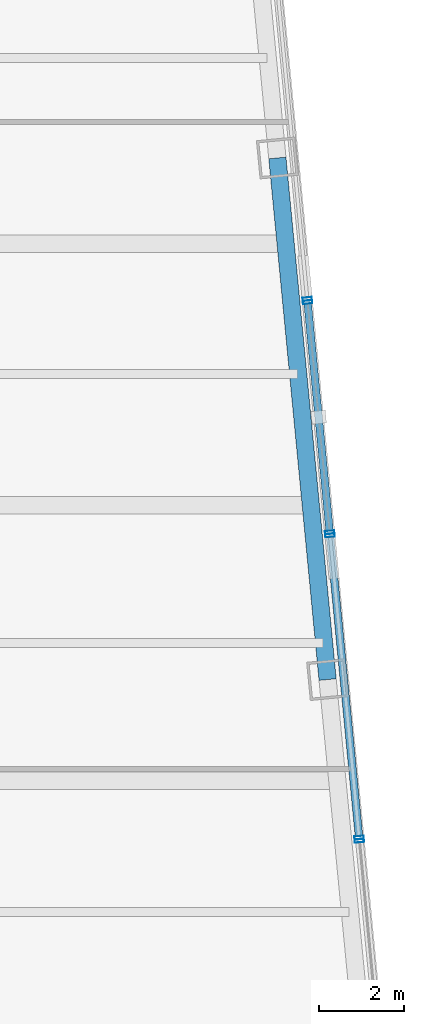
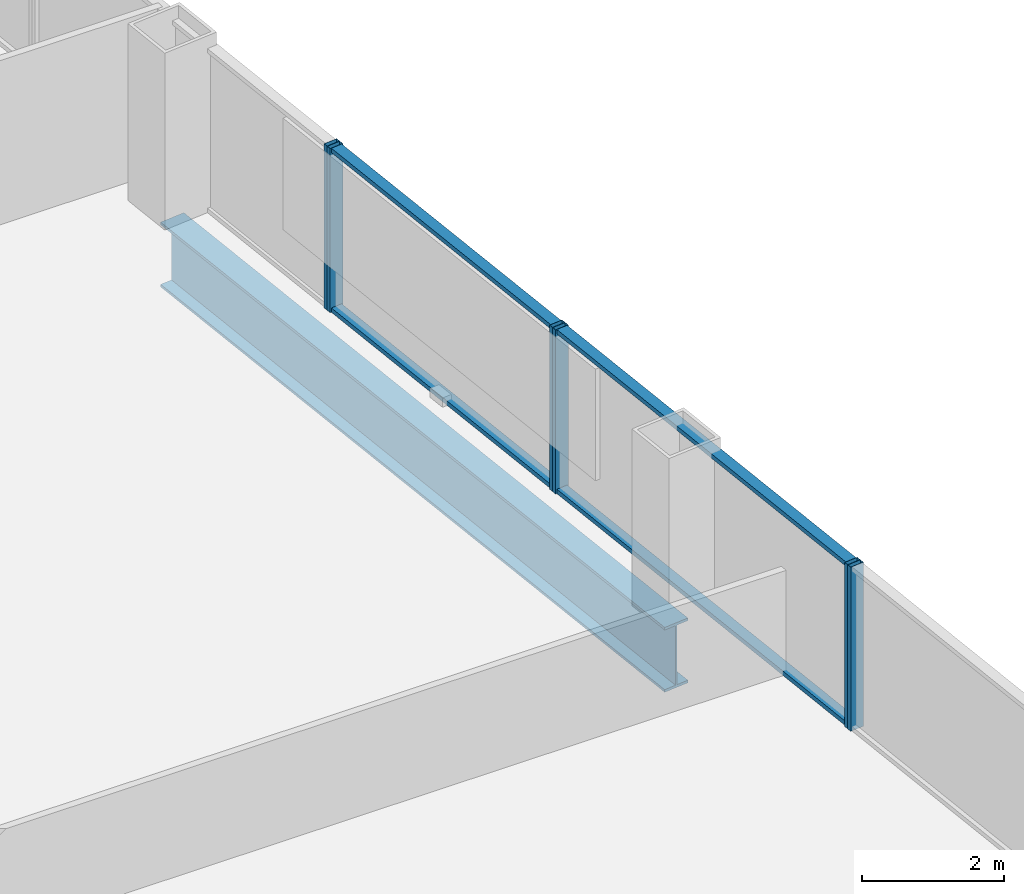
# One storey, part 13 of 26: 10 members, 1 beam, 4 elements without a shape of their own.
"""IFC4 building model written with IfcOpenShell, lengths in metres."""

from ifc_helpers import new_model, si_unit, direction, frame, origin, origin_2d, place, context, subcontext, project, spatial, hollow_rectangle, i_section, extrude, material, layer, layer_set, material_profile, profile_set, type_object, element, aggregate, save


model = new_model("IFC4")

# Units and contexts
model_context = context("Model", 3, precision=1e-05, world=origin(), true_north=direction((0.0, 1.0)))
body_context = subcontext(model_context, "Body", "Model", "MODEL_VIEW")
ifc_project = project(units=[si_unit("LENGTHUNIT", "METRE"), si_unit("AREAUNIT", "SQUARE_METRE"), si_unit("VOLUMEUNIT", "CUBIC_METRE"), si_unit("PLANEANGLEUNIT", "RADIAN"), si_unit("MASSUNIT", "GRAM", prefix="KILO")], contexts=[model_context])

# Site, building, storey
site_placement = place(None, origin())
site = spatial("IfcSite", under=ifc_project, at=site_placement, CompositionType="ELEMENT")
building_placement = place(site_placement, origin())
building = spatial("IfcBuilding", under=site, at=building_placement, Name="Qhalaya Broadcast Tower", CompositionType="ELEMENT")
storey_placement = place(building_placement, frame((0.0, 0.0, 72.5)))
storey = spatial("IfcBuildingStorey", under=building, at=storey_placement, Name="L20", CompositionType="ELEMENT", Elevation=72.5)

# Beam
ifc_material_1 = material(Name="Structural Steel ASTM A992 Grade 50", Category="steel")
ifc_material_profile_1 = material_profile(ifc_material_1, i_section(OverallWidth=0.404052734375, OverallDepth=1.117919921875, WebThickness=0.026123046875, FlangeThickness=0.044921875, at=origin_2d()), Name="W44X335")
ifc_profile_set_1 = profile_set([ifc_material_profile_1], Name="Structural Steel ASTM A992 Grade 50")
beam_type = type_object("IfcBeamType", Name="Podium Long-Span Primary Girder PG1", PredefinedType="USERDEFINED", material=ifc_profile_set_1)
beam_placement = place(storey_placement, frame((28.116943359375, -0.255126953125, -0.779052734375), z_axis=(-0.095851586307, 0.99539563662, 0.0), x_axis=(-0.99539563662, -0.095851586307, 0.0)))
element("IfcBeam", 1, at=beam_placement, inside=storey, type_object=beam_type, Name="L20 PG1 L20-SPR-06", ObjectType="GIRDER", PredefinedType="USERDEFINED", context=body_context, shape_type="SweptSolid", body=[
    extrude(i_section(OverallWidth=0.404052734375, OverallDepth=1.117919921875, WebThickness=0.026123046875, FlangeThickness=0.044921875, at=origin_2d()), origin(), (0.0, 0.0, 1.0), 12.2666015625),
])

# Curtain wall, member
ifc_material_2 = material(Name="Solar-Control Low-E Triple Glazing", Category="glass")
ifc_layer_1 = layer(ifc_material_2, 0.219970703125, Name="Solar-Control Low-E Triple Glazing")
ifc_layer_set_1 = layer_set([ifc_layer_1], Name="Solar-Control Low-E Triple Glazing")
curtain_wall_type_1 = type_object("IfcCurtainWallType", Name="Even-Block 4-Storey Double-Module Curtain Wall CW-03", PredefinedType="NOTDEFINED", material=ifc_layer_set_1)
curtain_wall_1_placement = place(storey_placement, origin())
curtain_wall_1 = element("IfcCurtainWall", 2, at=curtain_wall_1_placement, inside=storey, type_object=curtain_wall_type_1, Name="L20 Unitised Curtain Wall L20-CW-E2", PredefinedType="NOTDEFINED")
ifc_material_3 = material(Name="Anodised Aluminium 6063-T6", Category="aluminium")
ifc_material_profile_2 = material_profile(ifc_material_3, hollow_rectangle(XDim=0.074951171875, YDim=0.219970703125, WallThickness=0.00390625, at=origin_2d()), Name="ALU-MUL 75x220x4")
ifc_profile_set_2 = profile_set([ifc_material_profile_2], Name="Anodised Aluminium 6063-T6")
member_type_1 = type_object("IfcMemberType", Name="Unitised Curtain-Wall Mullion M01", PredefinedType="MULLION", material=ifc_profile_set_2)
member_1_placement = place(storey_placement, frame((28.862060546875, -4.029296875, 0.0), z_axis=(0.0, 0.0, 1.0), x_axis=(-0.095843001098, 0.995396463295, 0.0)))
member_1 = element("IfcMember", 3, at=member_1_placement, type_object=member_type_1, Name="CW-03 mullion 2", PredefinedType="MULLION", context=body_context, shape_type="SweptSolid", body=[
    extrude(hollow_rectangle(XDim=0.074951171875, YDim=0.219970703125, WallThickness=0.00390625, at=origin_2d()), origin(), (0.0, 0.0, 1.0), 2.830078125),
])
aggregate(curtain_wall_1, [member_1])

# Curtain wall, members
ifc_material_4 = material(Name="Fired Architectural Terracotta", Category="masonry")
ifc_layer_2 = layer(ifc_material_4, 0.219970703125, Name="Fired Architectural Terracotta")
ifc_layer_set_2 = layer_set([ifc_layer_2], Name="Fired Architectural Terracotta")
curtain_wall_type_2 = type_object("IfcCurtainWallType", Name="Block-Cap Unitised Terracotta Spandrel Wall CW-07", PredefinedType="NOTDEFINED", material=ifc_layer_set_2)
curtain_wall_2_placement = place(storey_placement, origin())
curtain_wall_2 = element("IfcCurtainWall", 4, at=curtain_wall_2_placement, inside=storey, type_object=curtain_wall_type_2, Name="L20 Unitised Curtain Wall L20-CW-E3", PredefinedType="NOTDEFINED")
member_2_placement = place(storey_placement, frame((28.85498046875, -3.95458984375, 0.0), z_axis=(0.0, 0.0, 1.0), x_axis=(-0.095850652435, 0.995395726547, 0.0)))
member_2 = element("IfcMember", 5, at=member_2_placement, type_object=member_type_1, Name="CW-07 mullion 1", PredefinedType="MULLION", context=body_context, shape_type="SweptSolid", body=[
    extrude(hollow_rectangle(XDim=0.074951171875, YDim=0.219970703125, WallThickness=0.00390625, at=origin_2d()), origin(), (0.0, 0.0, 1.0), 2.830078125),
])
member_3_placement = place(storey_placement, frame((28.173828125, 3.11865234375, 0.0), z_axis=(0.0, 0.0, 1.0), x_axis=(-0.095850652435, 0.995395726547, 0.0)))
member_3 = element("IfcMember", 6, at=member_3_placement, type_object=member_type_1, Name="CW-07 mullion 2", PredefinedType="MULLION", context=body_context, shape_type="SweptSolid", body=[
    extrude(hollow_rectangle(XDim=0.074951171875, YDim=0.219970703125, WallThickness=0.00390625, at=origin_2d()), origin(), (0.0, 0.0, 1.0), 2.830078125),
])

curtain_wall_3_placement = place(storey_placement, origin())
curtain_wall_3 = element("IfcCurtainWall", 7, at=curtain_wall_3_placement, inside=storey, type_object=curtain_wall_type_1, Name="L20 Unitised Curtain Wall L20-CW-E4", PredefinedType="NOTDEFINED")
member_4_placement = place(storey_placement, frame((28.16650390625, 3.193115234375, 0.0), z_axis=(0.0, 0.0, 1.0), x_axis=(-0.095843001098, 0.995396463295, 0.0)))
member_4 = element("IfcMember", 8, at=member_4_placement, type_object=member_type_1, Name="CW-03 mullion 1", PredefinedType="MULLION", context=body_context, shape_type="SweptSolid", body=[
    extrude(hollow_rectangle(XDim=0.074951171875, YDim=0.219970703125, WallThickness=0.00390625, at=origin_2d()), origin(), (0.0, 0.0, 1.0), 2.830078125),
])
member_5_placement = place(storey_placement, frame((27.64794921875, 8.579345703125, 0.0), z_axis=(0.0, 0.0, 1.0), x_axis=(-0.095843001098, 0.995396463295, 0.0)))
member_5 = element("IfcMember", 9, at=member_5_placement, type_object=member_type_1, Name="CW-03 mullion 2", PredefinedType="MULLION", context=body_context, shape_type="SweptSolid", body=[
    extrude(hollow_rectangle(XDim=0.074951171875, YDim=0.219970703125, WallThickness=0.00390625, at=origin_2d()), origin(), (0.0, 0.0, 1.0), 2.830078125),
])

# Curtain wall, member
curtain_wall_4_placement = place(storey_placement, origin())
curtain_wall_4 = element("IfcCurtainWall", 10, at=curtain_wall_4_placement, inside=storey, type_object=curtain_wall_type_2, Name="L20 Unitised Curtain Wall L20-CW-E5", PredefinedType="NOTDEFINED")
member_6_placement = place(storey_placement, frame((27.640869140625, 8.654052734375, 0.0), z_axis=(0.0, 0.0, 1.0), x_axis=(-0.095850652435, 0.995395726547, 0.0)))
member_6 = element("IfcMember", 11, at=member_6_placement, type_object=member_type_1, Name="CW-07 mullion 1", PredefinedType="MULLION", context=body_context, shape_type="SweptSolid", body=[
    extrude(hollow_rectangle(XDim=0.074951171875, YDim=0.219970703125, WallThickness=0.00390625, at=origin_2d()), origin(), (0.0, 0.0, 1.0), 2.830078125),
])
aggregate(curtain_wall_4, [member_6])

# Member
ifc_material_profile_3 = material_profile(ifc_material_3, hollow_rectangle(XDim=0.074951171875, YDim=0.179931640625, WallThickness=0.00390625, at=origin_2d()), Name="ALU-TRN 75x180x4")
ifc_profile_set_3 = profile_set([ifc_material_profile_3], Name="Anodised Aluminium 6063-T6")
member_type_2 = type_object("IfcMemberType", Name="Unitised Curtain-Wall Transom T01", PredefinedType="USERDEFINED", material=ifc_profile_set_3)
member_7_placement = place(storey_placement, frame((28.851318359375, -3.917236328125, 0.03759765625), z_axis=(-0.095838119582, 0.995396933306, 0.0), x_axis=(0.0, 0.0, 1.0)))
member_7 = element("IfcMember", 12, at=member_7_placement, type_object=member_type_2, Name="CW-07 transom 1.1", ObjectType="TRANSOM", PredefinedType="USERDEFINED", context=body_context, shape_type="SweptSolid", body=[
    extrude(hollow_rectangle(XDim=0.074951171875, YDim=0.179931640625, WallThickness=0.00390625, at=origin_2d()), origin(), (0.0, 0.0, 1.0), 7.031005859375),
])

member_8_placement = place(storey_placement, frame((28.851318359375, -3.917236328125, 2.79248046875), z_axis=(-0.095838119582, 0.995396933306, 0.0), x_axis=(0.0, 0.0, 1.0)))
member_8 = element("IfcMember", 13, at=member_8_placement, type_object=member_type_2, Name="CW-07 transom 1.2", ObjectType="TRANSOM", PredefinedType="USERDEFINED", context=body_context, shape_type="SweptSolid", body=[
    extrude(hollow_rectangle(XDim=0.074951171875, YDim=0.179931640625, WallThickness=0.00390625, at=origin_2d()), origin(), (0.0, 0.0, 1.0), 7.031005859375),
])

aggregate(curtain_wall_2, [member_2, member_3, member_7, member_8])

member_9_placement = place(storey_placement, frame((28.1630859375, 3.23046875, 0.03759765625), z_axis=(-0.09585189358, 0.995395607031, 0.0), x_axis=(0.0, 0.0, 1.0)))
member_9 = element("IfcMember", 14, at=member_9_placement, type_object=member_type_2, Name="CW-03 transom 1.1", ObjectType="TRANSOM", PredefinedType="USERDEFINED", context=body_context, shape_type="SweptSolid", body=[
    extrude(hollow_rectangle(XDim=0.074951171875, YDim=0.179931640625, WallThickness=0.00390625, at=origin_2d()), origin(), (0.0, 0.0, 1.0), 5.336181640625),
])

member_10_placement = place(storey_placement, frame((28.1630859375, 3.23046875, 2.79248046875), z_axis=(-0.09585189358, 0.995395607031, 0.0), x_axis=(0.0, 0.0, 1.0)))
member_10 = element("IfcMember", 15, at=member_10_placement, type_object=member_type_2, Name="CW-03 transom 1.2", ObjectType="TRANSOM", PredefinedType="USERDEFINED", context=body_context, shape_type="SweptSolid", body=[
    extrude(hollow_rectangle(XDim=0.074951171875, YDim=0.179931640625, WallThickness=0.00390625, at=origin_2d()), origin(), (0.0, 0.0, 1.0), 5.336181640625),
])

aggregate(curtain_wall_3, [member_4, member_5, member_9, member_10])

save(model, "model.ifc")
